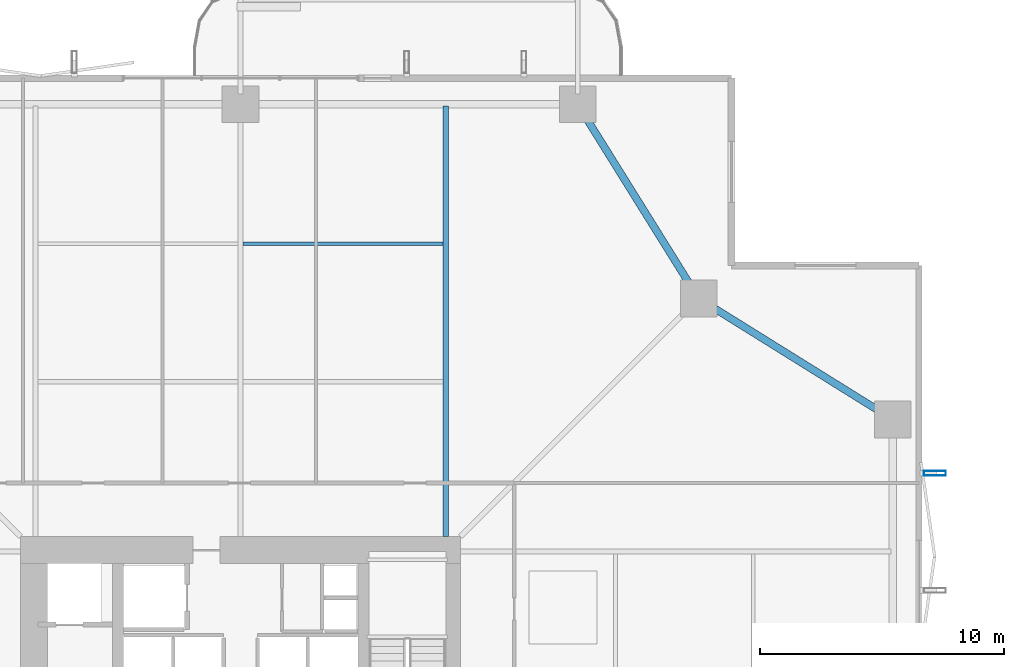
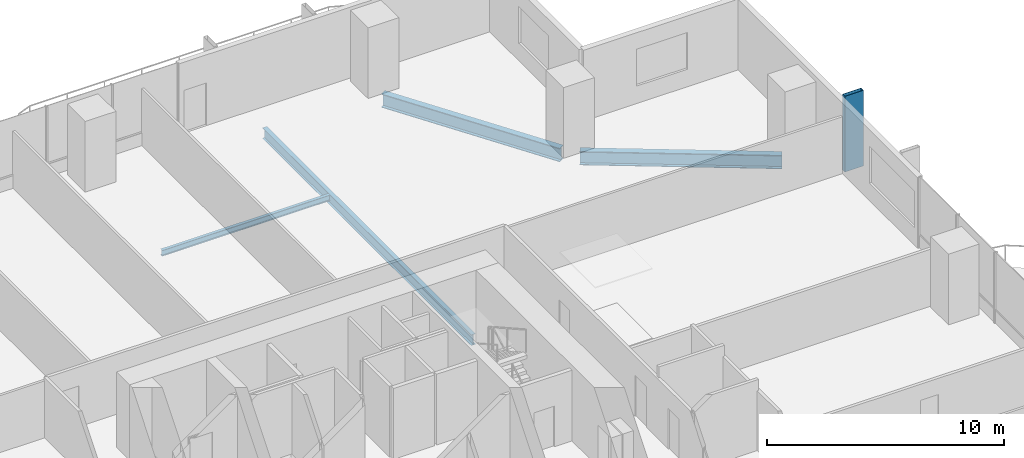
# One storey, part 14 of 23: 4 beams, 1 member.
"""IFC4 building model written with IfcOpenShell, lengths in metres."""

import ifcopenshell
import ifcopenshell.guid

model = None  # the IFC model being written
_history = None  # IfcOwnerHistory: only IFC2X3 demands one
_inside = {}  # id of a spatial element -> (the spatial element, [elements in it])
_under = {}  # id of a project, library or spatial element -> (it, [spatial elements below it])
_declared = {}  # id of a project -> (the project, [libraries it declares])
_typed = {}  # id of a type object -> (the type object, [elements of that type])
_made_of = {}  # id of a material, layer set ... -> (it, [elements and type objects made of it])


def new_model(schema):
    """Start an empty IFC model of exactly this schema.

    Asked for "IFC4X3", IfcOpenShell would pick the latest addendum, in which some entities
    have other attributes; the version numbers below select the first issue.
    IFC2X3 requires an IfcOwnerHistory on every rooted entity: one is made here for all.
    """
    global model, _history
    if schema == "IFC4X3":
        model = ifcopenshell.file(schema_version=(4, 3, 0, 0))
    else:
        model = ifcopenshell.file(schema=schema)
    _inside.clear()
    _under.clear()
    _declared.clear()
    _typed.clear()
    _made_of.clear()
    _history = None
    if model.schema == "IFC2X3":
        org = make("IfcOrganization", Name="unknown")
        user = make(
            "IfcPersonAndOrganization",
            ThePerson=make("IfcPerson", FamilyName="unknown"),
            TheOrganization=org,
        )
        app = make(
            "IfcApplication",
            ApplicationDeveloper=org,
            Version="unknown",
            ApplicationFullName="unknown",
            ApplicationIdentifier="unknown",
        )
        _history = make(
            "IfcOwnerHistory",
            OwningUser=user,
            OwningApplication=app,
            ChangeAction="ADDED",
            CreationDate=0,
        )
    return model


def make(cls, **values):
    """One entity of the class cls with the attributes given. An attribute that is None is left unset."""
    return model.create_entity(
        cls, **{name: value for name, value in values.items() if value is not None}
    )


def rooted(cls, **values):
    """An entity with a GlobalId (a new one), such as an element, a storey or a relation."""
    return make(cls, GlobalId=ifcopenshell.guid.new(), OwnerHistory=_history, **values)


def si_unit(unit_type, name, prefix=None):
    """IfcSIUnit, for example si_unit("LENGTHUNIT", "METRE", prefix="MILLI")."""
    return make("IfcSIUnit", UnitType=unit_type, Prefix=prefix, Name=name)


def assignment(units):
    """IfcUnitAssignment: the units of a project."""
    return None if units is None else make("IfcUnitAssignment", Units=units)


def point(xyz):
    """IfcCartesianPoint."""
    return None if xyz is None else make("IfcCartesianPoint", Coordinates=xyz)


def direction(xyz):
    """IfcDirection."""
    return None if xyz is None else make("IfcDirection", DirectionRatios=xyz)


def frame(location, z_axis=None, x_axis=None):
    """IfcAxis2Placement3D, a coordinate frame: its origin and axes. An axis left out is left unset."""
    return make(
        "IfcAxis2Placement3D",
        Location=point(location),
        Axis=direction(z_axis),
        RefDirection=direction(x_axis),
    )


def frame_2d(location, x_axis=None):
    """IfcAxis2Placement2D, a coordinate frame in the plane: its origin and x axis."""
    return make(
        "IfcAxis2Placement2D", Location=point(location), RefDirection=direction(x_axis)
    )


def origin():
    """The frame at (0, 0, 0) with its axes left unset."""
    return frame((0.0, 0.0, 0.0))


def origin_2d():
    """The frame at (0, 0) in the plane with its x axis left unset."""
    return frame_2d((0.0, 0.0))


def place(relative_to, where):
    """IfcLocalPlacement: puts the frame where relative to a parent placement (None: the world)."""
    return make(
        "IfcLocalPlacement", PlacementRelTo=relative_to, RelativePlacement=where
    )


def context(
    kind, dimensions, precision=None, world=None, true_north=None, identifier=None
):
    """IfcGeometricRepresentationContext, for example the 3D "Model" context."""
    return make(
        "IfcGeometricRepresentationContext",
        ContextIdentifier=identifier,
        ContextType=kind,
        CoordinateSpaceDimension=dimensions,
        Precision=precision,
        WorldCoordinateSystem=world,
        TrueNorth=true_north,
    )


def subcontext(parent, identifier, kind, view, scale=None):
    """IfcGeometricRepresentationSubContext, for example "Body" below "Model"."""
    return make(
        "IfcGeometricRepresentationSubContext",
        ContextIdentifier=identifier,
        ContextType=kind,
        ParentContext=parent,
        TargetScale=scale,
        TargetView=view,
    )


def project(units=None, contexts=None):
    """IfcProject with its units and contexts."""
    return rooted(
        "IfcProject",
        Name="project",
        RepresentationContexts=contexts,
        UnitsInContext=assignment(units),
    )


def spatial(cls, under=None, at=None, **own):
    """A site, building, storey or space (cls), placed at a placement, below another one or the project."""
    s = rooted(cls, ObjectPlacement=at, **own)
    if under is not None:
        _under.setdefault(under.id(), (under, []))[1].append(s)
    return s


def profile(cls, at=None, kind="AREA", **sizes):
    """A parametric profile (cls). Its sizes go by their IFC names, for example OverallWidth=200.0."""
    return make(cls, ProfileType=kind, Position=at, **sizes)


def hollow_rectangle(**sizes):
    """IfcRectangleHollowProfileDef."""
    return profile("IfcRectangleHollowProfileDef", **sizes)


def i_section(**sizes):
    """IfcIShapeProfileDef."""
    return profile("IfcIShapeProfileDef", **sizes)


def extrude(swept, where, along, depth):
    """IfcExtrudedAreaSolid: the profile swept, set in the frame where, extruded along a direction by depth."""
    return make(
        "IfcExtrudedAreaSolid",
        SweptArea=swept,
        Position=where,
        ExtrudedDirection=direction(along),
        Depth=depth,
    )


def shape(context_of_items, identifier, shape_type, items):
    """IfcShapeRepresentation: the items that make up one representation, for example the "Body"."""
    return make(
        "IfcShapeRepresentation",
        ContextOfItems=context_of_items,
        RepresentationIdentifier=identifier,
        RepresentationType=shape_type,
        Items=items,
    )


def material(Name=None, Category=None):
    """IfcMaterial."""
    return make("IfcMaterial", Name=Name, Category=Category)


def material_profile(
    of_material, cross_section, Name=None, Category=None, Priority=None
):
    """IfcMaterialProfile: a cross section and its material."""
    return make(
        "IfcMaterialProfile",
        Name=Name,
        Material=of_material,
        Profile=cross_section,
        Priority=Priority,
        Category=Category,
    )


def profile_set(profiles, Name=None, composite=None):
    """IfcMaterialProfileSet."""
    return make(
        "IfcMaterialProfileSet",
        Name=Name,
        MaterialProfiles=profiles,
        CompositeProfile=composite,
    )


def made_of(thing, what):
    """Note that an element or type object is made of a material, layer set ...; save() writes the relation."""
    if what is not None:
        _made_of.setdefault(what.id(), (what, []))[1].append(thing)
    return thing


def type_object(cls, material=None, **own):
    """A type object (cls), such as IfcWallType, which elements share."""
    return made_of(rooted(cls, **own), material)


def element(
    cls,
    number,
    at=None,
    inside=None,
    cuts=None,
    type_object=None,
    material=None,
    context=None,
    identifier="Body",
    shape_type=None,
    held_by="IfcProductDefinitionShape",
    body=None,
    shapes=None,
    **own,
):
    """One element of the class cls, such as IfcWall. Its Tag is "e" and its number.

    at: its placement. inside: the storey or other place that contains it. cuts: it is an
    opening in that element (IfcRelVoidsElement). A single representation is given by context,
    identifier, shape_type and body (its items); several are given by shapes. held_by: the class
    of the entity that holds the representations. save() writes the other relations.
    """
    e = rooted(cls, Tag="e%d" % number, ObjectPlacement=at, **own)
    if body is not None:
        shapes = [shape(context, identifier, shape_type, body)]
    if shapes is not None:
        e.Representation = make(held_by, Representations=shapes)
    if inside is not None:
        _inside.setdefault(inside.id(), (inside, []))[1].append(e)
    if cuts is not None:
        rooted(
            "IfcRelVoidsElement", RelatingBuildingElement=cuts, RelatedOpeningElement=e
        )
    if type_object is not None:
        _typed.setdefault(type_object.id(), (type_object, []))[1].append(e)
    return made_of(e, material)


def aggregate(whole, parts):
    """IfcRelAggregates: a whole, such as a stair, and the parts it consists of."""
    return rooted("IfcRelAggregates", RelatingObject=whole, RelatedObjects=parts)


def save(model, path):
    """Write the relations noted so far, then the file.

    IfcRelAggregates (storeys below a building ...), IfcRelContainedInSpatialStructure (elements
    in a storey), IfcRelDefinesByType, IfcRelAssociatesMaterial and IfcRelDeclares: one each for
    every whole, place, type object, material and project.
    """
    for whole, parts in _under.values():
        aggregate(whole, parts)
    for where, things in _inside.values():
        rooted(
            "IfcRelContainedInSpatialStructure",
            RelatedElements=things,
            RelatingStructure=where,
        )
    for kind, things in _typed.values():
        rooted("IfcRelDefinesByType", RelatedObjects=things, RelatingType=kind)
    for what, things in _made_of.values():
        rooted("IfcRelAssociatesMaterial", RelatedObjects=things, RelatingMaterial=what)
    for by, libraries in _declared.values():
        rooted("IfcRelDeclares", RelatingContext=by, RelatedDefinitions=libraries)
    model.write(path)


model = new_model("IFC4")

# Units and contexts
model_context = context("Model", 3, precision=1e-05, world=origin(), true_north=direction((0.0, 1.0)))
body_context = subcontext(model_context, "Body", "Model", "MODEL_VIEW")
ifc_project = project(units=[si_unit("LENGTHUNIT", "METRE"), si_unit("AREAUNIT", "SQUARE_METRE"), si_unit("VOLUMEUNIT", "CUBIC_METRE"), si_unit("PLANEANGLEUNIT", "RADIAN"), si_unit("MASSUNIT", "GRAM", prefix="KILO")], contexts=[model_context])

# Site, building, storey
site_placement = place(None, origin())
site = spatial("IfcSite", under=ifc_project, at=site_placement, CompositionType="ELEMENT")
building_placement = place(site_placement, origin())
building = spatial("IfcBuilding", under=site, at=building_placement, Name="Belovzor Exchange Tower", CompositionType="ELEMENT")
storey_placement = place(building_placement, frame((0.0, 0.0, 100.199951171875)))
storey = spatial("IfcBuildingStorey", under=building, at=storey_placement, Name="L24", CompositionType="ELEMENT", Elevation=100.199951171875)

# Beam
ifc_material_1 = material(Name="Steel S355", Category="steel")
ifc_material_profile_1 = material_profile(ifc_material_1, i_section(OverallWidth=0.14990234375, OverallDepth=0.300048828125, WebThickness=0.007080078125, FlangeThickness=0.0107421875, at=origin_2d()))
ifc_profile_set_1 = profile_set([ifc_material_profile_1], Name="Steel S355")
beam_type_1 = type_object("IfcBeamType", Name="Secondary Trim Floor Joist IPE 300", PredefinedType="BEAM", material=ifc_profile_set_1)
beam_1_placement = place(storey_placement, frame((28.905029296875, 49.784912109375, -0.39990234375), z_axis=(1.0, 0.0, 0.0), x_axis=(0.0, 1.0, 0.0)))
element("IfcBeam", 1, at=beam_1_placement, inside=storey, type_object=beam_type_1, Name="FJ-300 Secondary Trim Floor Joist IPE 300", PredefinedType="BEAM", context=body_context, shape_type="SweptSolid", body=[
    extrude(i_section(OverallWidth=0.14990234375, OverallDepth=0.300048828125, WebThickness=0.007080078125, FlangeThickness=0.0107421875, at=origin_2d()), origin(), (0.0, 0.0, 1.0), 8.18994140625),
])

# Member
ifc_material_2 = material(Name="Extruded Architectural Terracotta on Steel S355 Carrier", Category="masonry")
ifc_material_profile_2 = material_profile(ifc_material_2, hollow_rectangle(XDim=0.199951171875, YDim=0.89990234375, WallThickness=0.011962890625, at=origin_2d()))
ifc_profile_set_2 = profile_set([ifc_material_profile_2], Name="Extruded Architectural Terracotta on Steel S355 Carrier")
member_type = type_object("IfcMemberType", Name="Sweeping Terracotta Baguette Fin Assembly 1250", PredefinedType="USERDEFINED", material=ifc_profile_set_2)
member_placement = place(storey_placement, frame((57.22509765625, 40.39990234375, -0.25), z_axis=(0.0, 0.0, 1.0), x_axis=(0.0, 1.0, 0.0)))
element("IfcMember", 2, at=member_placement, inside=storey, type_object=member_type, Name="FIN-TC125 Terracotta Facade Fin L24 E4", ObjectType="FIN", PredefinedType="USERDEFINED", context=body_context, shape_type="SweptSolid", body=[
    extrude(hollow_rectangle(XDim=0.199951171875, YDim=0.89990234375, WallThickness=0.011962890625, at=origin_2d()), origin(), (0.0, 0.0, 1.0), 3.900146484375),
])

# Beams
ifc_material_3 = material(Name="Steel S355", Category="steel")
ifc_material_profile_3 = material_profile(ifc_material_3, i_section(OverallWidth=0.300048828125, OverallDepth=0.699951171875, WebThickness=0.01708984375, FlangeThickness=0.031982421875, at=origin_2d()))
ifc_profile_set_3 = profile_set([ifc_material_profile_3], Name="Steel S355")
beam_type_2 = type_object("IfcBeamType", Name="Zone 1 Primary Perimeter Girder HEB 700", PredefinedType="BEAM", material=ifc_profile_set_3)
for number, where, z_axis, x_axis, name in (
    (3, (55.14990234375, 42.818115234375, -0.599853515625), (-0.848909251292, 0.528538629686, 0.0), (-0.528538629686, -0.848909251292, 0.0), "FG-Z1 Zone 1 Primary Perimeter Girder HEB 700"),
    (4, (47.33203125, 47.89990234375, -0.599853515625), (-0.528538629686, 0.848909251292, 0.0), (-0.848909251292, -0.528538629686, 0.0), "FG-Z1 Zone 1 Primary Perimeter Girder HEB 700"),
):
    element("IfcBeam", number, at=place(storey_placement, frame(where, z_axis=z_axis, x_axis=x_axis)), inside=storey, type_object=beam_type_2, Name=name, PredefinedType="BEAM", context=body_context, shape_type="SweptSolid", body=[
        extrude(i_section(OverallWidth=0.300048828125, OverallDepth=0.699951171875, WebThickness=0.01708984375, FlangeThickness=0.031982421875, at=origin_2d()), origin(), (0.0, 0.0, 1.0), 8.540283203125),
    ])
ifc_material_4 = material(Name="Steel S355", Category="steel")
ifc_material_profile_4 = material_profile(ifc_material_4, i_section(OverallWidth=0.2099609375, OverallDepth=0.550048828125, WebThickness=0.010986328125, FlangeThickness=0.01708984375, at=origin_2d()))
ifc_profile_set_4 = profile_set([ifc_material_profile_4], Name="Steel S355")
beam_type_3 = type_object("IfcBeamType", Name="Zone 1 Radial Composite Floor Beam IPE 550", PredefinedType="BEAM", material=ifc_profile_set_4)
beam_2_placement = place(storey_placement, frame((37.199951171875, 37.800048828125, -0.52490234375), z_axis=(0.0, 1.0, 0.0), x_axis=(-1.0, 0.0, 0.0)))
element("IfcBeam", 5, at=beam_2_placement, inside=storey, type_object=beam_type_3, Name="FB-550 Zone 1 Radial Composite Floor Beam IPE 550", PredefinedType="BEAM", context=body_context, shape_type="SweptSolid", body=[
    extrude(i_section(OverallWidth=0.2099609375, OverallDepth=0.550048828125, WebThickness=0.010986328125, FlangeThickness=0.01708984375, at=origin_2d()), origin(), (0.0, 0.0, 1.0), 17.625),
])

save(model, "model.ifc")
